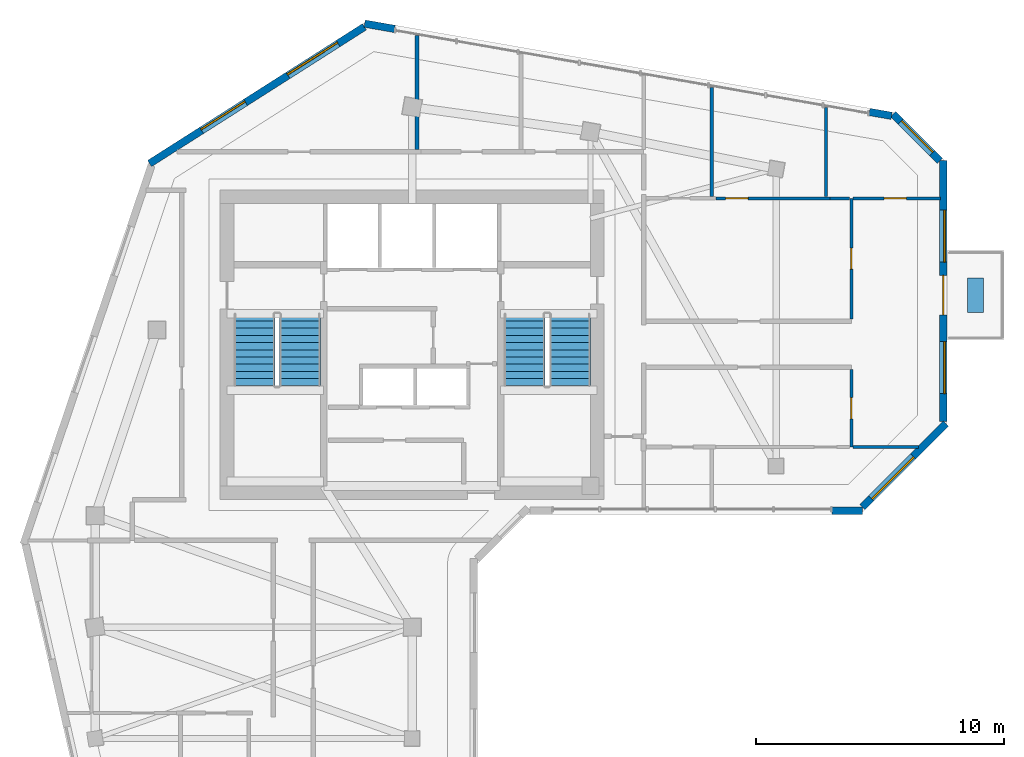
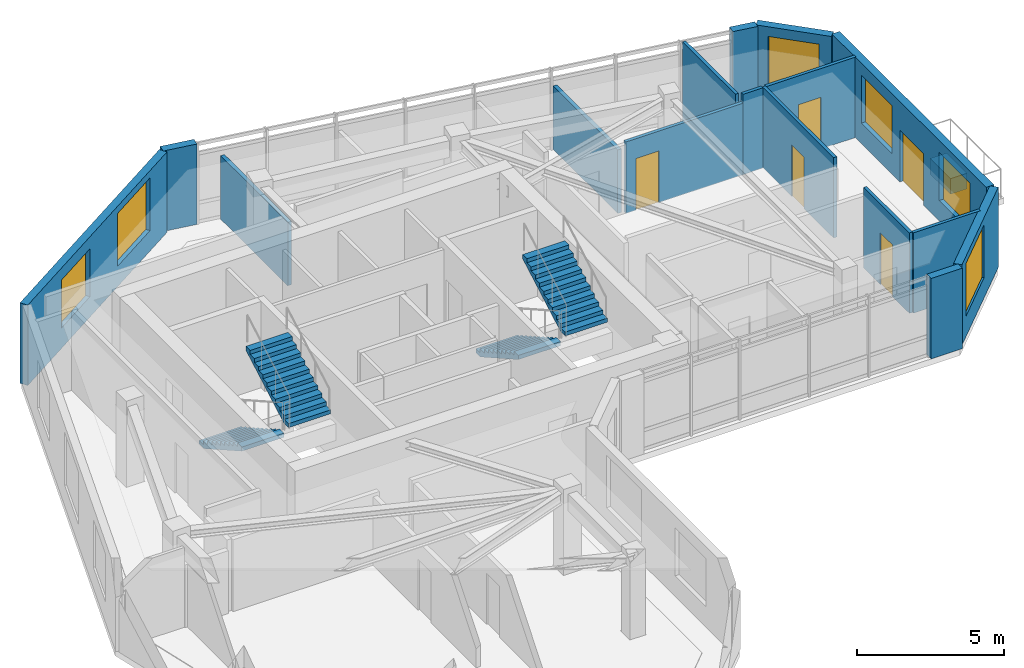
# One storey, part 6 of 9: 16 walls, 6 windows, 5 doors, 4 stair flights, 1 discrete accessory, 11 openings, 2 elements without a shape of their own.
"""IFC4 building model written with IfcOpenShell, lengths in metres."""

from ifc_helpers import new_model, si_unit, direction, frame, frame_2d, origin, origin_2d, place, context, subcontext, project, spatial, polyline, rectangle, outline, extrude, source, transform, mapped, material, layer, layer_set, type_object, element, fill, aggregate, save


model = new_model("IFC4")

# Units and contexts
model_context = context("Model", 3, precision=1e-05, world=origin(), true_north=direction((0.0, 1.0)))
body_context = subcontext(model_context, "Body", "Model", "MODEL_VIEW")
ifc_project = project(units=[si_unit("LENGTHUNIT", "METRE"), si_unit("AREAUNIT", "SQUARE_METRE"), si_unit("VOLUMEUNIT", "CUBIC_METRE"), si_unit("PLANEANGLEUNIT", "RADIAN"), si_unit("MASSUNIT", "GRAM", prefix="KILO")], contexts=[model_context])

# Site, building, storey
site_placement = place(None, origin())
site = spatial("IfcSite", under=ifc_project, at=site_placement, CompositionType="ELEMENT")
building_placement = place(site_placement, origin())
building = spatial("IfcBuilding", under=site, at=building_placement, Name="Calvemar Wedge Station Tower", CompositionType="ELEMENT")
storey_placement = place(building_placement, frame((0.0, 0.0, 263.699951171875)))
storey = spatial("IfcBuildingStorey", under=building, at=storey_placement, Name="L67", CompositionType="ELEMENT", Elevation=263.699951171875)

# Wall
ifc_material_1 = material(Name="Precast concrete C45", Category="concrete")
ifc_layer_1 = layer(ifc_material_1, 0.300048828125)
ifc_layer_set_1 = layer_set([ifc_layer_1], Name="Precast concrete C45")
wall_type_1 = type_object("IfcWallType", Name="W-EXT-GFRC-300", PredefinedType="SOLIDWALL", material=ifc_layer_set_1)
wall_1_placement = place(storey_placement, frame((40.7578125, 33.2060546875, 0.0), z_axis=(0.0, 0.0, 1.0), x_axis=(1.0, 0.0, 0.0)))
element("IfcWall", 1, at=wall_1_placement, inside=storey, type_object=wall_type_1, Name="Storey L67 Bronze GFRC Corner Pier 6B", PredefinedType="SOLIDWALL", context=body_context, shape_type="SweptSolid", body=[
    extrude(rectangle(XDim=1.22998046875, YDim=0.300048828125, at=frame_2d((0.614990234375, 0.0))), origin(), (0.0, 0.0, 1.0), 3.35009765625),
])

# Wall, opening, window
wall_2_placement = place(storey_placement, frame((41.975830078125, 33.343994140625, 0.0), z_axis=(0.0, 0.0, 1.0), x_axis=(0.707132316343, 0.707081245108, 0.0)))
wall_2 = element("IfcWall", 2, at=wall_2_placement, inside=storey, type_object=wall_type_1, Name="Storey L67 Bronze GFRC Exterior Wall 7", PredefinedType="SOLIDWALL", context=body_context, shape_type="SweptSolid", body=[
    extrude(rectangle(XDim=4.7802734375, YDim=0.300048828125, at=frame_2d((2.39013671875, 0.0))), origin(), (0.0, 0.0, 1.0), 3.35009765625),
])
shared_shape_1 = source(origin(), body_context, "Body", "SweptSolid", [
    extrude(rectangle(XDim=2.39990234375, YDim=2.199951171875, at=frame_2d((1.199951171875, 1.10009765625))), frame((0.0, 0.16015625, 0.0), z_axis=(0.0, -1.0, 0.0), x_axis=(1.0, 0.0, 0.0)), (0.0, 0.0, 1.0), 0.320068359375),
])
opening_1_placement = place(wall_2_placement, frame((0.509033203125, 0.0, 0.85009765625)))
opening_1 = element("IfcOpeningElement", 3, at=opening_1_placement, cuts=wall_2, Name="Opening W1", PredefinedType="OPENING", context=body_context, shape_type="MappedRepresentation", body=[
    mapped(shared_shape_1, transform((0.0, 0.0, 0.0), scale=1.0)),
])
ifc_material_2 = material(Name="Low-E laminated insulated glass", Category="glass")
window_type_1 = type_object("IfcWindowType", Name="WIN-EXT-1", PartitioningType="SINGLE_PANEL", PredefinedType="WINDOW", material=ifc_material_2)
shared_shape_2 = source(origin(), body_context, "Body", "SweptSolid", [
    extrude(rectangle(XDim=2.39990234375, YDim=2.199951171875, at=frame_2d((1.199951171875, 1.10009765625))), frame((0.0, -0.014892578125, 0.0), z_axis=(0.0, -1.0, 0.0), x_axis=(1.0, 0.0, 0.0)), (0.0, 0.0, 1.0), 0.06005859375),
])
window_1_placement = place(opening_1_placement, origin())
window_1 = element("IfcWindow", 4, at=window_1_placement, inside=storey, type_object=window_type_1, Name="Storey L67 Recessed Window 7.1", OverallHeight=2.199951171875, OverallWidth=2.39990234375, PartitioningType="SINGLE_PANEL", PredefinedType="WINDOW", context=body_context, shape_type="MappedRepresentation", body=[
    mapped(shared_shape_2, transform((0.0, 0.0, 0.0), scale=1.0)),
])
fill(opening_1, window_1)

# Wall, openings, windows, door
wall_3_placement = place(storey_placement, frame((45.25, 36.813232421875, 0.0), z_axis=(0.0, 0.0, 1.0), x_axis=(0.0, 1.0, 0.0)))
wall_3 = element("IfcWall", 5, at=wall_3_placement, inside=storey, type_object=wall_type_1, Name="Storey L67 Bronze GFRC Exterior Wall 8", PredefinedType="SOLIDWALL", context=body_context, shape_type="SweptSolid", body=[
    extrude(rectangle(XDim=10.53076171875, YDim=0.300048828125, at=frame_2d((5.265380859375, 0.0))), origin(), (0.0, 0.0, 1.0), 3.35009765625),
])
shared_shape_3 = source(origin(), body_context, "Body", "SweptSolid", [
    extrude(rectangle(XDim=1.60009765625, YDim=2.14990234375, at=frame_2d((0.800048828125, 1.074951171875))), frame((0.0, 0.16015625, 0.0), z_axis=(0.0, -1.0, 0.0), x_axis=(1.0, 0.0, 0.0)), (0.0, 0.0, 1.0), 0.320068359375),
])
opening_2_placement = place(wall_3_placement, frame((4.29296875, 0.0, 0.0)))
opening_2 = element("IfcOpeningElement", 6, at=opening_2_placement, cuts=wall_3, Name="Opening DT1", PredefinedType="OPENING", context=body_context, shape_type="MappedRepresentation", body=[
    mapped(shared_shape_3, transform((0.0, 0.0, 0.0), scale=1.0)),
])
shared_shape_4 = source(origin(), body_context, "Body", "SweptSolid", [
    extrude(rectangle(XDim=2.10009765625, YDim=2.0, at=frame_2d((1.050048828125, 1.0))), frame((0.0, 0.16015625, 0.0), z_axis=(0.0, -1.0, 0.0), x_axis=(1.0, 0.0, 0.0)), (0.0, 0.0, 1.0), 0.320068359375),
])
opening_3_placement = place(wall_3_placement, frame((1.116943359375, 0.0, 0.85009765625)))
opening_3 = element("IfcOpeningElement", 7, at=opening_3_placement, cuts=wall_3, Name="Opening W4", PredefinedType="OPENING", context=body_context, shape_type="MappedRepresentation", body=[
    mapped(shared_shape_4, transform((0.0, 0.0, 0.0), scale=1.0)),
])
opening_4_placement = place(wall_3_placement, frame((6.427001953125, 0.0, 0.85009765625)))
opening_4 = element("IfcOpeningElement", 8, at=opening_4_placement, cuts=wall_3, Name="Opening W4", PredefinedType="OPENING", context=body_context, shape_type="MappedRepresentation", body=[
    mapped(shared_shape_4, transform((0.0, 0.0, 0.0), scale=1.0)),
])
window_type_2 = type_object("IfcWindowType", Name="WIN-EXT-4", PartitioningType="SINGLE_PANEL", PredefinedType="WINDOW", material=ifc_material_2)
shared_shape_5 = source(origin(), body_context, "Body", "SweptSolid", [
    extrude(rectangle(XDim=2.10009765625, YDim=2.0, at=frame_2d((1.050048828125, 1.0))), frame((0.0, -0.014892578125, 0.0), z_axis=(0.0, -1.0, 0.0), x_axis=(1.0, 0.0, 0.0)), (0.0, 0.0, 1.0), 0.06005859375),
])
window_2_placement = place(opening_3_placement, origin())
window_2 = element("IfcWindow", 9, at=window_2_placement, inside=storey, type_object=window_type_2, Name="Storey L67 Recessed Window 8.1", OverallHeight=2.0, OverallWidth=2.10009765625, PartitioningType="SINGLE_PANEL", PredefinedType="WINDOW", context=body_context, shape_type="MappedRepresentation", body=[
    mapped(shared_shape_5, transform((0.0, 0.0, 0.0), scale=1.0)),
])
fill(opening_3, window_2)
window_3_placement = place(opening_4_placement, origin())
window_3 = element("IfcWindow", 10, at=window_3_placement, inside=storey, type_object=window_type_2, Name="Storey L67 Recessed Window 8.2", OverallHeight=2.0, OverallWidth=2.10009765625, PartitioningType="SINGLE_PANEL", PredefinedType="WINDOW", context=body_context, shape_type="MappedRepresentation", body=[
    mapped(shared_shape_5, transform((0.0, 0.0, 0.0), scale=1.0)),
])
fill(opening_4, window_3)
ifc_material_3 = material(Name="Anodised aluminium 6063-T6", Category="aluminium")
door_type_1 = type_object("IfcDoorType", Name="DR-TERR-1600", OperationType="DOUBLE_DOOR_SLIDING", PredefinedType="DOOR", material=ifc_material_3)
shared_shape_6 = source(origin(), body_context, "Body", "SweptSolid", [
    extrude(rectangle(XDim=1.60009765625, YDim=2.14990234375, at=frame_2d((0.800048828125, 1.074951171875))), frame((0.0, 0.02490234375, 0.0), z_axis=(0.0, -1.0, 0.0), x_axis=(1.0, 0.0, 0.0)), (0.0, 0.0, 1.0), 0.050048828125),
])
door_1_placement = place(opening_2_placement, origin())
door_1 = element("IfcDoor", 11, at=door_1_placement, inside=storey, type_object=door_type_1, Name="Storey L67 Spiral Terrace Door", OperationType="DOUBLE_DOOR_SLIDING", OverallHeight=2.14990234375, OverallWidth=1.60009765625, PredefinedType="DOOR", context=body_context, shape_type="MappedRepresentation", body=[
    mapped(shared_shape_6, transform((0.0, 0.0, 0.0), scale=1.0)),
])
fill(opening_2, door_1)

# Wall, opening, window
wall_4_placement = place(storey_placement, frame((45.112060546875, 47.331787109375, 0.0), z_axis=(0.0, 0.0, 1.0), x_axis=(-0.707106781187, 0.707106781187, 0.0)))
wall_4 = element("IfcWall", 12, at=wall_4_placement, inside=storey, type_object=wall_type_1, Name="Storey L67 Bronze GFRC Exterior Wall 9", PredefinedType="SOLIDWALL", context=body_context, shape_type="SweptSolid", body=[
    extrude(rectangle(XDim=2.673828125, YDim=0.300048828125, at=frame_2d((1.3369140625, 0.0))), origin(), (0.0, 0.0, 1.0), 3.35009765625),
])
shared_shape_7 = source(origin(), body_context, "Body", "SweptSolid", [
    extrude(rectangle(XDim=1.800048828125, YDim=2.10009765625, at=frame_2d((0.89990234375, 1.050048828125))), frame((0.0, 0.16015625, 0.0), z_axis=(0.0, -1.0, 0.0), x_axis=(1.0, 0.0, 0.0)), (0.0, 0.0, 1.0), 0.320068359375),
])
opening_5_placement = place(wall_4_placement, frame((0.43701171875, 0.0, 0.85009765625)))
opening_5 = element("IfcOpeningElement", 13, at=opening_5_placement, cuts=wall_4, Name="Opening W2", PredefinedType="OPENING", context=body_context, shape_type="MappedRepresentation", body=[
    mapped(shared_shape_7, transform((0.0, 0.0, 0.0), scale=1.0)),
])
window_type_3 = type_object("IfcWindowType", Name="WIN-EXT-2", PartitioningType="SINGLE_PANEL", PredefinedType="WINDOW", material=ifc_material_2)
shared_shape_8 = source(origin(), body_context, "Body", "SweptSolid", [
    extrude(rectangle(XDim=1.800048828125, YDim=2.10009765625, at=frame_2d((0.89990234375, 1.050048828125))), frame((0.0, -0.014892578125, 0.0), z_axis=(0.0, -1.0, 0.0), x_axis=(1.0, 0.0, 0.0)), (0.0, 0.0, 1.0), 0.06005859375),
])
window_4_placement = place(opening_5_placement, origin())
window_4 = element("IfcWindow", 14, at=window_4_placement, inside=storey, type_object=window_type_3, Name="Storey L67 Recessed Window 9.1", OverallHeight=2.10009765625, OverallWidth=1.800048828125, PartitioningType="SINGLE_PANEL", PredefinedType="WINDOW", context=body_context, shape_type="MappedRepresentation", body=[
    mapped(shared_shape_8, transform((0.0, 0.0, 0.0), scale=1.0)),
])
fill(opening_5, window_4)

# Walls
wall_5_placement = place(storey_placement, frame((43.161376953125, 49.1455078125, 0.0), z_axis=(0.0, 0.0, 1.0), x_axis=(-0.985052066521, 0.172256861238, 0.0)))
element("IfcWall", 15, at=wall_5_placement, inside=storey, type_object=wall_type_1, Name="Storey L67 Bronze GFRC Corner Pier 10A", PredefinedType="SOLIDWALL", context=body_context, shape_type="SweptSolid", body=[
    extrude(rectangle(XDim=0.911376953125, YDim=0.300048828125, at=frame_2d((0.45556640625, 0.0))), origin(), (0.0, 0.0, 1.0), 3.35009765625),
])
wall_6_placement = place(storey_placement, frame((23.09521484375, 52.656005859375, 0.0), z_axis=(0.0, 0.0, 1.0), x_axis=(-0.985008549623, 0.172505527937, 0.0)))
element("IfcWall", 16, at=wall_6_placement, inside=storey, type_object=wall_type_1, Name="Storey L67 Bronze GFRC Corner Pier 10B", PredefinedType="SOLIDWALL", context=body_context, shape_type="SweptSolid", body=[
    extrude(rectangle(XDim=1.22998046875, YDim=0.300048828125, at=frame_2d((0.614990234375, 0.0))), origin(), (0.0, 0.0, 1.0), 3.35009765625),
])

# Wall, openings, windows
wall_7_placement = place(storey_placement, frame((21.873779296875, 52.741943359375, 0.0), z_axis=(0.0, 0.0, 1.0), x_axis=(-0.84365659959, -0.536883173482, 0.0)))
wall_7 = element("IfcWall", 17, at=wall_7_placement, inside=storey, type_object=wall_type_1, Name="Storey L67 Bronze GFRC Exterior Wall 11", PredefinedType="SOLIDWALL", context=body_context, shape_type="SweptSolid", body=[
    extrude(rectangle(XDim=10.282958984375, YDim=0.300048828125, at=frame_2d((5.1416015625, 0.0))), origin(), (0.0, 0.0, 1.0), 3.35009765625),
])
opening_6_placement = place(wall_7_placement, frame((1.260009765625, 0.0, 0.85009765625)))
opening_6 = element("IfcOpeningElement", 18, at=opening_6_placement, cuts=wall_7, Name="Opening W1", PredefinedType="OPENING", context=body_context, shape_type="MappedRepresentation", body=[
    mapped(shared_shape_1, transform((0.0, 0.0, 0.0), scale=1.0)),
])
opening_7_placement = place(wall_7_placement, frame((5.68994140625, 0.0, 0.85009765625)))
opening_7 = element("IfcOpeningElement", 19, at=opening_7_placement, cuts=wall_7, Name="Opening W4", PredefinedType="OPENING", context=body_context, shape_type="MappedRepresentation", body=[
    mapped(shared_shape_4, transform((0.0, 0.0, 0.0), scale=1.0)),
])
window_5_placement = place(opening_7_placement, origin())
window_5 = element("IfcWindow", 20, at=window_5_placement, inside=storey, type_object=window_type_2, Name="Storey L67 Recessed Window 11.2", OverallHeight=2.0, OverallWidth=2.10009765625, PartitioningType="SINGLE_PANEL", PredefinedType="WINDOW", context=body_context, shape_type="MappedRepresentation", body=[
    mapped(shared_shape_5, transform((0.0, 0.0, 0.0), scale=1.0)),
])
fill(opening_7, window_5)
window_6_placement = place(opening_6_placement, origin())
window_6 = element("IfcWindow", 21, at=window_6_placement, inside=storey, type_object=window_type_1, Name="Storey L67 Recessed Window 11.1", OverallHeight=2.199951171875, OverallWidth=2.39990234375, PartitioningType="SINGLE_PANEL", PredefinedType="WINDOW", context=body_context, shape_type="MappedRepresentation", body=[
    mapped(shared_shape_2, transform((0.0, 0.0, 0.0), scale=1.0)),
])
fill(opening_6, window_6)

# Wall, opening, door
ifc_material_4 = material(Name="Insulated acoustic gypsum stud partition")
ifc_layer_2 = layer(ifc_material_4, 0.125)
ifc_layer_set_2 = layer_set([ifc_layer_2], Name="Insulated acoustic gypsum stud partition")
wall_type_2 = type_object("IfcWallType", Name="W-PART-125", PredefinedType="PARTITIONING", material=ifc_layer_set_2)
wall_8_placement = place(storey_placement, frame((41.534912109375, 45.81494140625, 0.0), z_axis=(0.0, 0.0, 1.0), x_axis=(0.0, -1.0, 0.0)))
wall_8 = element("IfcWall", 22, at=wall_8_placement, inside=storey, type_object=wall_type_2, Name="Storey L67 Interior Partition WL-L67-030", PredefinedType="PARTITIONING", context=body_context, shape_type="SweptSolid", body=[
    extrude(rectangle(XDim=4.870849609375, YDim=0.125, at=frame_2d((2.435546875, 0.0))), origin(), (0.0, 0.0, 1.0), 3.35009765625),
])
shared_shape_9 = source(origin(), body_context, "Body", "SweptSolid", [
    extrude(rectangle(XDim=0.85009765625, YDim=2.14990234375, at=frame_2d((0.425048828125, 1.074951171875))), frame((0.0, 0.072509765625, 0.0), z_axis=(0.0, -1.0, 0.0), x_axis=(1.0, 0.0, 0.0)), (0.0, 0.0, 1.0), 0.14501953125),
])
opening_8_placement = place(wall_8_placement, frame((2.010498046875, 0.0, 0.0)))
opening_8 = element("IfcOpeningElement", 23, at=opening_8_placement, cuts=wall_8, Name="Opening D-02", PredefinedType="OPENING", context=body_context, shape_type="MappedRepresentation", body=[
    mapped(shared_shape_9, transform((0.0, 0.0, 0.0), scale=1.0)),
])
ifc_material_5 = material(Name="Moisture-sealed bathroom hardwood swing door", Category="wood")
door_type_2 = type_object("IfcDoorType", Name="DR-WET-850", OperationType="NOTDEFINED", PredefinedType="DOOR", material=ifc_material_5)
shared_shape_10 = source(origin(), body_context, "Body", "SweptSolid", [
    extrude(rectangle(XDim=0.85009765625, YDim=2.14990234375, at=frame_2d((0.425048828125, 1.074951171875))), frame((0.0, 0.02490234375, 0.0), z_axis=(0.0, -1.0, 0.0), x_axis=(1.0, 0.0, 0.0)), (0.0, 0.0, 1.0), 0.050048828125),
])
door_2_placement = place(opening_8_placement, origin())
door_2 = element("IfcDoor", 24, at=door_2_placement, inside=storey, type_object=door_type_2, Name="L67 Kitchen Door", OperationType="SINGLE_SWING_RIGHT", OverallHeight=2.14990234375, OverallWidth=0.85009765625, PredefinedType="DOOR", context=body_context, shape_type="MappedRepresentation", body=[
    mapped(shared_shape_10, transform((0.0, 0.0, 0.0), scale=1.0)),
])
fill(opening_8, door_2)

wall_9_placement = place(storey_placement, frame((36.06201171875, 45.81494140625, 0.0), z_axis=(0.0, 0.0, 1.0), x_axis=(1.0, 0.0, 0.0)))
wall_9 = element("IfcWall", 25, at=wall_9_placement, inside=storey, type_object=wall_type_2, Name="Storey L67 Interior Partition WL-L67-032", PredefinedType="PARTITIONING", context=body_context, shape_type="SweptSolid", body=[
    extrude(rectangle(XDim=4.614990234375, YDim=0.125, at=frame_2d((2.3076171875, 0.0))), origin(), (0.0, 0.0, 1.0), 2.97900390625),
])
shared_shape_11 = source(origin(), body_context, "Body", "SweptSolid", [
    extrude(rectangle(XDim=0.89990234375, YDim=2.14990234375, at=frame_2d((0.449951171875, 1.074951171875))), frame((0.0, 0.072509765625, 0.0), z_axis=(0.0, -1.0, 0.0), x_axis=(1.0, 0.0, 0.0)), (0.0, 0.0, 1.0), 0.14501953125),
])
opening_9_placement = place(wall_9_placement, frame((0.4013671875, 0.0, 0.0)))
opening_9 = element("IfcOpeningElement", 26, at=opening_9_placement, cuts=wall_9, Name="Opening D-01", PredefinedType="OPENING", context=body_context, shape_type="MappedRepresentation", body=[
    mapped(shared_shape_11, transform((0.0, 0.0, 0.0), scale=1.0)),
])
ifc_material_6 = material(Name="Architectural hardwood acoustic swing door", Category="wood")
door_type_3 = type_object("IfcDoorType", Name="DR-INT-900", OperationType="NOTDEFINED", PredefinedType="DOOR", material=ifc_material_6)
shared_shape_12 = source(origin(), body_context, "Body", "SweptSolid", [
    extrude(rectangle(XDim=0.89990234375, YDim=2.14990234375, at=frame_2d((0.449951171875, 1.074951171875))), frame((0.0, 0.02490234375, 0.0), z_axis=(0.0, -1.0, 0.0), x_axis=(1.0, 0.0, 0.0)), (0.0, 0.0, 1.0), 0.050048828125),
])
door_3_placement = place(opening_9_placement, origin())
door_3 = element("IfcDoor", 27, at=door_3_placement, inside=storey, type_object=door_type_3, Name="L67 Master Bedroom Door", OperationType="SINGLE_SWING_RIGHT", OverallHeight=2.14990234375, OverallWidth=0.89990234375, PredefinedType="DOOR", context=body_context, shape_type="MappedRepresentation", body=[
    mapped(shared_shape_12, transform((0.0, 0.0, 0.0), scale=1.0)),
])
fill(opening_9, door_3)

# Wall
wall_10_placement = place(storey_placement, frame((40.678955078125, 45.81494140625, 0.0), z_axis=(0.0, 0.0, 1.0), x_axis=(1.0, 0.0, 0.0)))
element("IfcWall", 28, at=wall_10_placement, inside=storey, type_object=wall_type_2, Name="Storey L67 Interior Partition WL-L67-033", PredefinedType="PARTITIONING", context=body_context, shape_type="SweptSolid", body=[
    extrude(rectangle(XDim=0.78955078125, YDim=0.125, at=frame_2d((0.394775390625, 0.0))), origin(), (0.0, 0.0, 1.0), 3.35009765625),
])

# Wall, opening, door
wall_11_placement = place(storey_placement, frame((41.6015625, 45.81494140625, 0.0), z_axis=(0.0, 0.0, 1.0), x_axis=(1.0, 0.0, 0.0)))
wall_11 = element("IfcWall", 29, at=wall_11_placement, inside=storey, type_object=wall_type_2, Name="Storey L67 Interior Partition WL-L67-034", PredefinedType="PARTITIONING", context=body_context, shape_type="SweptSolid", body=[
    extrude(rectangle(XDim=3.533447265625, YDim=0.125, at=frame_2d((1.7666015625, 0.0))), origin(), (0.0, 0.0, 1.0), 3.35009765625),
])
opening_10_placement = place(wall_11_placement, frame((1.255859375, 0.0, 0.0)))
opening_10 = element("IfcOpeningElement", 30, at=opening_10_placement, cuts=wall_11, Name="Opening D-01", PredefinedType="OPENING", context=body_context, shape_type="MappedRepresentation", body=[
    mapped(shared_shape_11, transform((0.0, 0.0, 0.0), scale=1.0)),
])
door_4_placement = place(opening_10_placement, origin())
door_4 = element("IfcDoor", 31, at=door_4_placement, inside=storey, type_object=door_type_3, Name="L67 Master Bedroom Door", OperationType="SINGLE_SWING_LEFT", OverallHeight=2.14990234375, OverallWidth=0.89990234375, PredefinedType="DOOR", context=body_context, shape_type="MappedRepresentation", body=[
    mapped(shared_shape_12, transform((0.0, 0.0, 0.0), scale=1.0)),
])
fill(opening_10, door_4)

# Wall
wall_12_placement = place(storey_placement, frame((40.51708984375, 49.491455078125, 0.0), z_axis=(0.0, 0.0, 1.0), x_axis=(0.0, -1.0, 0.0)))
element("IfcWall", 32, at=wall_12_placement, inside=storey, type_object=wall_type_2, Name="Storey L67 Interior Partition WL-L67-036", PredefinedType="PARTITIONING", context=body_context, shape_type="SweptSolid", body=[
    extrude(rectangle(XDim=3.60986328125, YDim=0.125, at=frame_2d((1.804931640625, 0.0))), origin(), (0.0, 0.0, 1.0), 3.35009765625),
])

# Wall, opening, door
wall_13_placement = place(storey_placement, frame((41.534912109375, 38.906005859375, 0.0), z_axis=(0.0, 0.0, 1.0), x_axis=(0.0, -1.0, 0.0)))
wall_13 = element("IfcWall", 33, at=wall_13_placement, inside=storey, type_object=wall_type_2, Name="Storey L67 Interior Partition WL-L67-037", PredefinedType="PARTITIONING", context=body_context, shape_type="SweptSolid", body=[
    extrude(rectangle(XDim=3.135009765625, YDim=0.125, at=frame_2d((1.5673828125, 0.0))), origin(), (0.0, 0.0, 1.0), 3.35009765625),
])
opening_11_placement = place(wall_13_placement, frame((1.142578125, 0.0, 0.0)))
opening_11 = element("IfcOpeningElement", 34, at=opening_11_placement, cuts=wall_13, Name="Opening D-02", PredefinedType="OPENING", context=body_context, shape_type="MappedRepresentation", body=[
    mapped(shared_shape_9, transform((0.0, 0.0, 0.0), scale=1.0)),
])
door_5_placement = place(opening_11_placement, origin())
door_5 = element("IfcDoor", 35, at=door_5_placement, inside=storey, type_object=door_type_2, Name="L67 Kitchen Door", OperationType="SINGLE_SWING_LEFT", OverallHeight=2.14990234375, OverallWidth=0.85009765625, PredefinedType="DOOR", context=body_context, shape_type="MappedRepresentation", body=[
    mapped(shared_shape_10, transform((0.0, 0.0, 0.0), scale=1.0)),
])
fill(opening_11, door_5)

# Walls
wall_14_placement = place(storey_placement, frame((44.240234375, 35.77099609375, 0.0), z_axis=(0.0, 0.0, 1.0), x_axis=(-1.0, 0.0, 0.0)))
element("IfcWall", 36, at=wall_14_placement, inside=storey, type_object=wall_type_2, Name="Storey L67 Interior Partition WL-L67-040", PredefinedType="PARTITIONING", context=body_context, shape_type="SweptSolid", body=[
    extrude(rectangle(XDim=2.638671875, YDim=0.125, at=frame_2d((1.3193359375, 0.0))), origin(), (0.0, 0.0, 1.0), 3.35009765625),
])
ifc_material_7 = material(Name="Moisture-resistant acoustic bathroom partition")
ifc_layer_3 = layer(ifc_material_7, 0.14990234375)
ifc_layer_set_3 = layer_set([ifc_layer_3], Name="Moisture-resistant acoustic bathroom partition")
wall_type_3 = type_object("IfcWallType", Name="W-WET-150", PredefinedType="PARTITIONING", material=ifc_layer_set_3)
wall_15_placement = place(storey_placement, frame((24.0, 52.381103515625, 0.0), z_axis=(0.0, 0.0, 1.0), x_axis=(0.0, -1.0, 0.0)))
element("IfcWall", 37, at=wall_15_placement, inside=storey, type_object=wall_type_3, Name="Storey L67 Interior Partition WL-L67-023", PredefinedType="PARTITIONING", context=body_context, shape_type="SweptSolid", body=[
    extrude(rectangle(XDim=4.587158203125, YDim=0.14990234375, at=frame_2d((2.29345703125, 0.0))), origin(), (0.0, 0.0, 1.0), 2.64208984375),
])
wall_16_placement = place(storey_placement, frame((35.89990234375, 50.299072265625, 0.0), z_axis=(0.0, 0.0, 1.0), x_axis=(0.0, -1.0, 0.0)))
element("IfcWall", 38, at=wall_16_placement, inside=storey, type_object=wall_type_3, Name="Storey L67 Interior Partition WL-L67-035", PredefinedType="PARTITIONING", context=body_context, shape_type="SweptSolid", body=[
    extrude(rectangle(XDim=4.405029296875, YDim=0.14990234375, at=frame_2d((2.20263671875, 0.0))), origin(), (0.0, 0.0, 1.0), 2.64208984375),
])

# Stair, stair flights
ifc_material_8 = material(Name="Concrete C45", Category="concrete")
stair_type = type_object("IfcStairType", Name="ST-TYPE-3600", PredefinedType="HALF_TURN_STAIR", material=ifc_material_8)
stair_1_placement = place(storey_placement, origin())
stair_1 = element("IfcStair", 39, at=stair_1_placement, inside=storey, type_object=stair_type, Name="L67 Pressurized Core Exit Stair ST-C1", PredefinedType="HALF_TURN_STAIR")
stair_flight_type = type_object("IfcStairFlightType", Name="STF-TYPE-3600", PredefinedType="STRAIGHT", material=ifc_material_8)
stair_flight_1_placement = place(storey_placement, frame((17.429931640625, 41.14990234375, 0.0), z_axis=(0.0, 0.0, 1.0), x_axis=(0.0, -1.0, 0.0)))
stair_flight_1 = element("IfcStairFlight", 40, at=stair_flight_1_placement, type_object=stair_flight_type, Name="ST-C1 flight 1", NumberOfRisers=11, NumberOfTreads=10, PredefinedType="STRAIGHT", RiserHeight=0.163636364, TreadLength=0.29, context=body_context, shape_type="SweptSolid", body=[
    extrude(outline(polyline([(0.0, 0.0), (0.0, 0.16357421875), (0.2900390625, 0.16357421875), (0.2900390625, 0.327392578125), (0.580078125, 0.327392578125), (0.580078125, 0.490966796875), (0.8701171875, 0.490966796875), (0.8701171875, 0.654541015625), (1.159912109375, 0.654541015625), (1.159912109375, 0.818115234375), (1.449951171875, 0.818115234375), (1.449951171875, 0.98193359375), (1.739990234375, 0.98193359375), (1.739990234375, 1.1455078125), (2.030029296875, 1.1455078125), (2.030029296875, 1.30908203125), (2.320068359375, 1.30908203125), (2.320068359375, 1.47265625), (2.610107421875, 1.47265625), (2.610107421875, 1.636474609375), (2.89990234375, 1.636474609375), (2.89990234375, 1.800048828125), (2.89990234375, 1.46435546875), (0.304931640625, 0.0), (0.0, 0.0)])), frame((0.0, 0.830078125, 0.0), z_axis=(0.0, -1.0, 0.0), x_axis=(1.0, 0.0, 0.0)), (0.0, 0.0, 1.0), 1.659912109375),
])
stair_flight_2_placement = place(storey_placement, frame((19.27001953125, 38.25, 1.800048828125), z_axis=(0.0, 0.0, 1.0), x_axis=(0.0, 1.0, 0.0)))
stair_flight_2 = element("IfcStairFlight", 41, at=stair_flight_2_placement, type_object=stair_flight_type, Name="ST-C1 flight 2", NumberOfRisers=11, NumberOfTreads=10, PredefinedType="STRAIGHT", RiserHeight=0.163636364, TreadLength=0.29, context=body_context, shape_type="SweptSolid", body=[
    extrude(outline(polyline([(0.0, 0.0), (0.0, 0.16357421875), (0.2900390625, 0.16357421875), (0.2900390625, 0.327392578125), (0.580078125, 0.327392578125), (0.580078125, 0.490966796875), (0.8701171875, 0.490966796875), (0.8701171875, 0.654541015625), (1.159912109375, 0.654541015625), (1.159912109375, 0.818115234375), (1.449951171875, 0.818115234375), (1.449951171875, 0.98193359375), (1.739990234375, 0.98193359375), (1.739990234375, 1.1455078125), (2.030029296875, 1.1455078125), (2.030029296875, 1.30908203125), (2.320068359375, 1.30908203125), (2.320068359375, 1.47265625), (2.610107421875, 1.47265625), (2.610107421875, 1.636474609375), (2.89990234375, 1.636474609375), (2.89990234375, 1.800048828125), (2.89990234375, 1.46435546875), (0.304931640625, 0.0), (0.0, 0.0)])), frame((0.0, 0.830078125, 0.0), z_axis=(0.0, -1.0, 0.0), x_axis=(1.0, 0.0, 0.0)), (0.0, 0.0, 1.0), 1.659912109375),
])
aggregate(stair_1, [stair_flight_1, stair_flight_2])

stair_2_placement = place(storey_placement, origin())
stair_2 = element("IfcStair", 42, at=stair_2_placement, inside=storey, type_object=stair_type, Name="L67 Pressurized Core Exit Stair ST-C2", PredefinedType="HALF_TURN_STAIR")
stair_flight_3_placement = place(storey_placement, frame((28.330078125, 41.14990234375, 0.0), z_axis=(0.0, 0.0, 1.0), x_axis=(0.0, -1.0, 0.0)))
stair_flight_3 = element("IfcStairFlight", 43, at=stair_flight_3_placement, type_object=stair_flight_type, Name="ST-C2 flight 1", NumberOfRisers=11, NumberOfTreads=10, PredefinedType="STRAIGHT", RiserHeight=0.163636364, TreadLength=0.29, context=body_context, shape_type="SweptSolid", body=[
    extrude(outline(polyline([(0.0, 0.0), (0.0, 0.16357421875), (0.2900390625, 0.16357421875), (0.2900390625, 0.327392578125), (0.580078125, 0.327392578125), (0.580078125, 0.490966796875), (0.8701171875, 0.490966796875), (0.8701171875, 0.654541015625), (1.159912109375, 0.654541015625), (1.159912109375, 0.818115234375), (1.449951171875, 0.818115234375), (1.449951171875, 0.98193359375), (1.739990234375, 0.98193359375), (1.739990234375, 1.1455078125), (2.030029296875, 1.1455078125), (2.030029296875, 1.30908203125), (2.320068359375, 1.30908203125), (2.320068359375, 1.47265625), (2.610107421875, 1.47265625), (2.610107421875, 1.636474609375), (2.89990234375, 1.636474609375), (2.89990234375, 1.800048828125), (2.89990234375, 1.46435546875), (0.304931640625, 0.0), (0.0, 0.0)])), frame((0.0, 0.830078125, 0.0), z_axis=(0.0, -1.0, 0.0), x_axis=(1.0, 0.0, 0.0)), (0.0, 0.0, 1.0), 1.659912109375),
])
stair_flight_4_placement = place(storey_placement, frame((30.169921875, 38.25, 1.800048828125), z_axis=(0.0, 0.0, 1.0), x_axis=(0.0, 1.0, 0.0)))
stair_flight_4 = element("IfcStairFlight", 44, at=stair_flight_4_placement, type_object=stair_flight_type, Name="ST-C2 flight 2", NumberOfRisers=11, NumberOfTreads=10, PredefinedType="STRAIGHT", RiserHeight=0.163636364, TreadLength=0.29, context=body_context, shape_type="SweptSolid", body=[
    extrude(outline(polyline([(0.0, 0.0), (0.0, 0.16357421875), (0.2900390625, 0.16357421875), (0.2900390625, 0.327392578125), (0.580078125, 0.327392578125), (0.580078125, 0.490966796875), (0.8701171875, 0.490966796875), (0.8701171875, 0.654541015625), (1.159912109375, 0.654541015625), (1.159912109375, 0.818115234375), (1.449951171875, 0.818115234375), (1.449951171875, 0.98193359375), (1.739990234375, 0.98193359375), (1.739990234375, 1.1455078125), (2.030029296875, 1.1455078125), (2.030029296875, 1.30908203125), (2.320068359375, 1.30908203125), (2.320068359375, 1.47265625), (2.610107421875, 1.47265625), (2.610107421875, 1.636474609375), (2.89990234375, 1.636474609375), (2.89990234375, 1.800048828125), (2.89990234375, 1.46435546875), (0.304931640625, 0.0), (0.0, 0.0)])), frame((0.0, 0.830078125, 0.0), z_axis=(0.0, -1.0, 0.0), x_axis=(1.0, 0.0, 0.0)), (0.0, 0.0, 1.0), 1.659912109375),
])
aggregate(stair_2, [stair_flight_3, stair_flight_4])

# Discrete accessory
discrete_accessory_type = type_object("IfcDiscreteAccessoryType", Name="ACC-PLANTER", PredefinedType="USERDEFINED", material=ifc_material_1)
shared_shape_13 = source(origin(), body_context, "Body", "SweptSolid", [
    extrude(rectangle(XDim=0.64990234375, YDim=1.39990234375, at=origin_2d()), origin(), (0.0, 0.0, 1.0), 0.64990234375),
])
discrete_accessory_placement = place(storey_placement, frame((46.550048828125, 41.906005859375, 0.0), z_axis=(0.0, 0.0, 1.0), x_axis=(1.0, 0.0, 0.0)))
element("IfcDiscreteAccessory", 45, at=discrete_accessory_placement, inside=storey, type_object=discrete_accessory_type, Name="Storey L67 Planted Terrace GFRC Planter", ObjectType="PLANTER", PredefinedType="USERDEFINED", context=body_context, shape_type="MappedRepresentation", body=[
    mapped(shared_shape_13, transform((0.0, 0.0, 0.0), scale=1.0)),
])

save(model, "model.ifc")
